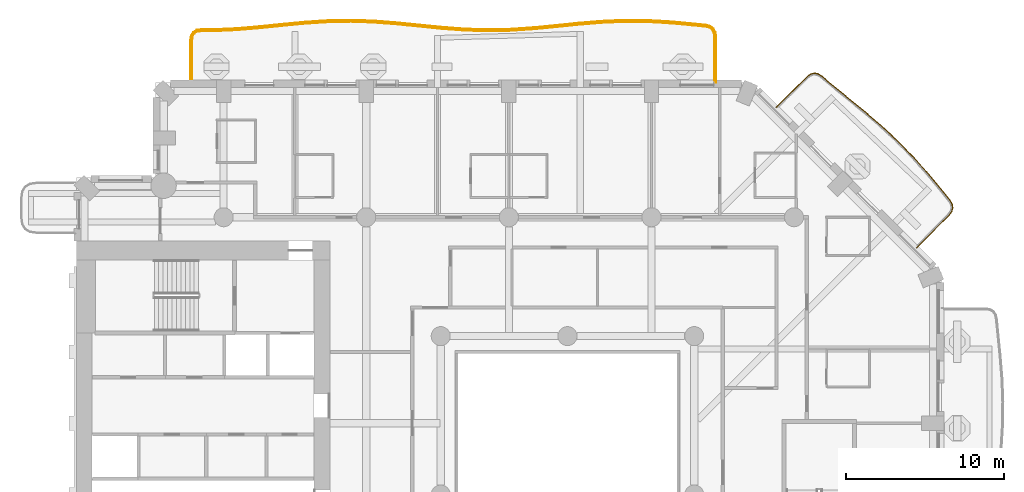
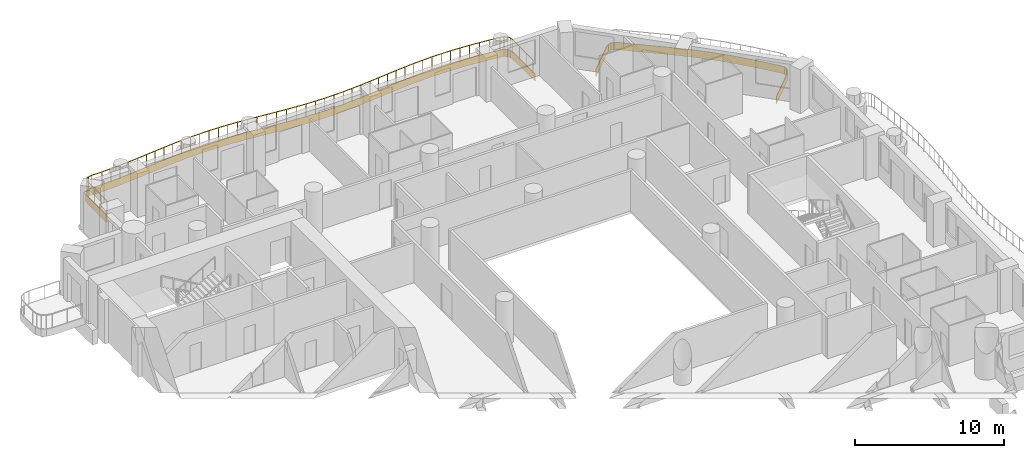
# One storey, part 18 of 20: 2 coverings, 1 railing.
"""IFC4 building model written with IfcOpenShell, lengths in metres."""

from ifc_helpers import new_model, si_unit, direction, frame, origin, origin_2d, place, context, subcontext, project, spatial, polyline, rectangle, outline, extrude, material, layer, layer_set, type_object, element, save


model = new_model("IFC4")

# Units and contexts
model_context = context("Model", 3, precision=1e-05, world=origin(), true_north=direction((0.0, 1.0)))
body_context = subcontext(model_context, "Body", "Model", "MODEL_VIEW")
ifc_project = project(units=[si_unit("LENGTHUNIT", "METRE"), si_unit("AREAUNIT", "SQUARE_METRE"), si_unit("VOLUMEUNIT", "CUBIC_METRE"), si_unit("PLANEANGLEUNIT", "RADIAN"), si_unit("MASSUNIT", "GRAM", prefix="KILO")], contexts=[model_context])

# Site, building, storey
site_placement = place(None, origin())
site = spatial("IfcSite", under=ifc_project, at=site_placement, CompositionType="ELEMENT")
building_placement = place(site_placement, origin())
building = spatial("IfcBuilding", under=site, at=building_placement, Name="Cypress Arch Tower", CompositionType="ELEMENT")
storey_placement = place(building_placement, frame((0.0, 0.0, 91.5)))
storey = spatial("IfcBuildingStorey", under=building, at=storey_placement, Name="L17", CompositionType="ELEMENT", Elevation=91.5)

# Coverings
ifc_material_1 = material(Name="White powder-coated aluminium fascia", Category="aluminium")
ifc_layer = layer(ifc_material_1, 0.050048828125)
ifc_layer_set = layer_set([ifc_layer], Name="Balcony fascia BF50")
covering_type = type_object("IfcCoveringType", Name="Balcony fascia BF50", PredefinedType="CLADDING", material=ifc_layer_set)
covering_1_placement = place(storey_placement, frame((0.0, 0.0, -0.60009765625)))
element("IfcCovering", 1, at=covering_1_placement, inside=storey, type_object=covering_type, Name="Balcony fascia L17-A07", PredefinedType="CLADDING", context=body_context, shape_type="SweptSolid", body=[
    extrude(outline(polyline([(16.0888671875, 26.377685546875), (16.322509765625, 26.5537109375), (16.5703125, 26.621337890625), (16.82275390625, 26.5732421875), (17.069580078125, 26.416259765625), (17.653076171875, 25.91796875), (18.7314453125, 25.03759765625), (19.81005859375, 24.155517578125), (20.86572265625, 23.24951171875), (21.881591796875, 22.302490234375), (22.848876953125, 21.306884765625), (23.7705078125, 20.266357421875), (24.66015625, 19.19482421875), (25.1455078125, 18.59716796875), (25.29736328125, 18.345458984375), (25.34130859375, 18.08984375), (25.271240234375, 17.840087890625), (25.09423828125, 17.60546875), (23.045166015625, 15.556396484375), (23.009765625, 15.591796875), (25.056396484375, 17.638427734375), (25.2255859375, 17.86279296875), (25.2900390625, 18.092529296875), (25.249755859375, 18.32763671875), (25.1044921875, 18.568359375), (24.62158203125, 19.1630859375), (23.732666015625, 20.233642578125), (22.81201171875, 21.272705078125), (21.846435546875, 22.266845703125), (20.83251953125, 23.212158203125), (19.77783203125, 24.1171875), (18.699951171875, 24.998779296875), (17.62109375, 25.87939453125), (17.039794921875, 26.3759765625), (16.803955078125, 26.52587890625), (16.572509765625, 26.570068359375), (16.344970703125, 26.5078125), (16.121826171875, 26.33984375), (14.191650390625, 24.40966796875), (14.15625, 24.445068359375), (16.0888671875, 26.377685546875)])), origin(), (0.0, 0.0, 1.0), 0.60009765625),
])
covering_2_placement = place(storey_placement, frame((0.0, 0.0, -0.60009765625)))
element("IfcCovering", 2, at=covering_2_placement, inside=storey, type_object=covering_type, Name="Balcony fascia L17-A08", PredefinedType="CLADDING", context=body_context, shape_type="SweptSolid", body=[
    extrude(outline(polyline([(-22.800048828125, 28.6689453125), (-22.757568359375, 28.9658203125), (-22.62451171875, 29.18701171875), (-22.402587890625, 29.319091796875), (-22.105712890625, 29.360107421875), (-21.31201171875, 29.3564453125), (-19.875, 29.422119140625), (-18.437255859375, 29.5439453125), (-16.99853515625, 29.692138671875), (-15.558349609375, 29.830078125), (-14.1171875, 29.92333984375), (-12.67578125, 29.94921875), (-11.234130859375, 29.90087890625), (-9.79345703125, 29.79052734375), (-8.353759765625, 29.6455078125), (-6.915283203125, 29.501708984375), (-5.477783203125, 29.39453125), (-4.041015625, 29.350341796875), (-2.604248046875, 29.380126953125), (-1.167236328125, 29.4765625), (0.271240234375, 29.615966796875), (1.710693359375, 29.763671875), (3.151123046875, 29.88330078125), (4.592529296875, 29.9453125), (6.0341796875, 29.934326171875), (7.475341796875, 29.852783203125), (8.915771484375, 29.72119140625), (9.7109375, 29.638916015625), (10.0068359375, 29.565673828125), (10.22607421875, 29.41064453125), (10.357666015625, 29.176513671875), (10.39990234375, 28.874755859375), (10.39990234375, 26.0009765625), (10.35009765625, 26.0009765625), (10.35009765625, 28.871337890625), (10.3095703125, 29.160400390625), (10.18798828125, 29.37646484375), (9.98583984375, 29.519287109375), (9.702392578125, 29.58935546875), (8.910888671875, 29.67138671875), (7.4716796875, 29.802978515625), (6.03271484375, 29.88427734375), (4.593505859375, 29.895263671875), (3.154296875, 29.83349609375), (1.71533203125, 29.7138671875), (0.276123046875, 29.566162109375), (-1.1630859375, 29.4267578125), (-2.602294921875, 29.330322265625), (-4.041259765625, 29.30029296875), (-5.48046875, 29.344482421875), (-6.919677734375, 29.45166015625), (-8.358642578125, 29.595703125), (-9.7978515625, 29.74072265625), (-11.237060546875, 29.850830078125), (-12.676025390625, 29.899169921875), (-14.115234375, 29.873291015625), (-15.554443359375, 29.7802734375), (-16.993408203125, 29.642333984375), (-18.4326171875, 29.494140625), (-19.871826171875, 29.3720703125), (-21.310791015625, 29.306396484375), (-22.102294921875, 29.31005859375), (-22.3857421875, 29.27099609375), (-22.588134765625, 29.150390625), (-22.70947265625, 28.94873046875), (-22.75, 28.66552734375), (-22.75, 26.0009765625), (-22.800048828125, 26.0009765625), (-22.800048828125, 28.6689453125)])), origin(), (0.0, 0.0, 1.0), 0.60009765625),
])

# Railing
ifc_material_2 = material(Name="Powder-coated steel posts and rods, 100 mm clear between rods", Category="steel")
railing_type = type_object("IfcRailingType", Name="Balcony guard GR1100", PredefinedType="GUARDRAIL", material=ifc_material_2)
railing_placement = place(storey_placement, frame((-22.699951171875, 26.14990234375, 0.0)))
element("IfcRailing", 3, at=railing_placement, inside=storey, type_object=railing_type, Name="Balcony guard L17-A08", PredefinedType="GUARDRAIL", context=body_context, shape_type="SweptSolid", body=[
    extrude(rectangle(XDim=0.050048828125, YDim=0.050048828125, at=origin_2d()), frame((0.0, 0.0, 1.0751953125), z_axis=(0.0, 1.0, 0.0), x_axis=(-1.0, 0.0, 0.0)), (0.0, 0.0, 1.0), 2.511962890625),
    extrude(rectangle(XDim=0.050048828125, YDim=0.050048828125, at=origin_2d()), frame((0.0, 2.511962890625, 1.0751953125), z_axis=(0.141546776296, 0.989931568403, 0.0), x_axis=(-0.989931568403, 0.141546776296, 0.0)), (0.0, 0.0, 1.0), 0.2724609375),
    extrude(rectangle(XDim=0.050048828125, YDim=0.050048828125, at=origin_2d()), frame((0.03857421875, 2.78173828125, 1.0751953125), z_axis=(0.515170521411, 0.857087704887, 0.0), x_axis=(-0.857087704887, 0.515170521411, 0.0)), (0.0, 0.0, 1.0), 0.212890625),
    extrude(rectangle(XDim=0.050048828125, YDim=0.050048828125, at=origin_2d()), frame((0.148193359375, 2.964111328125, 1.0751953125), z_axis=(0.859712995, 0.510777413585, 0.0), x_axis=(-0.510777413585, 0.859712995, 0.0)), (0.0, 0.0, 1.0), 0.212646484375),
    extrude(rectangle(XDim=0.050048828125, YDim=0.050048828125, at=origin_2d()), frame((0.3310546875, 3.07275390625, 1.0751953125), z_axis=(0.990549866766, 0.137153058475, 0.0), x_axis=(-0.137153058475, 0.990549866766, 0.0)), (0.0, 0.0, 1.0), 0.2724609375),
    extrude(rectangle(XDim=0.050048828125, YDim=0.050048828125, at=origin_2d()), frame((0.600830078125, 3.110107421875, 1.0751953125), z_axis=(0.999989236981, -0.004639603636, 0.0), x_axis=(0.004639603636, 0.999989236981, 0.0)), (0.0, 0.0, 1.0), 0.789306640625),
    extrude(rectangle(XDim=0.050048828125, YDim=0.050048828125, at=origin_2d()), frame((1.39013671875, 3.1064453125, 1.0751953125), z_axis=(0.998955942835, 0.0456839608, 0.0), x_axis=(-0.0456839608, 0.998955942835, 0.0)), (0.0, 0.0, 1.0), 1.44287109375),
    extrude(rectangle(XDim=0.050048828125, YDim=0.050048828125, at=origin_2d()), frame((2.83154296875, 3.17236328125, 1.0751953125), z_axis=(0.996428304897, 0.084443076686, 0.0), x_axis=(-0.084443076686, 0.996428304897, 0.0)), (0.0, 0.0, 1.0), 1.445556640625),
    extrude(rectangle(XDim=0.050048828125, YDim=0.050048828125, at=origin_2d()), frame((4.27197265625, 3.29443359375, 1.0751953125), z_axis=(0.994725087, 0.102576806801, 0.0), x_axis=(-0.102576806801, 0.994725087, 0.0)), (0.0, 0.0, 1.0), 1.447021484375),
    extrude(rectangle(XDim=0.050048828125, YDim=0.050048828125, at=origin_2d()), frame((5.71142578125, 3.44287109375, 1.0751953125), z_axis=(0.99546428092, 0.095136036353, 0.0), x_axis=(-0.095136036353, 0.99546428092, 0.0)), (0.0, 0.0, 1.0), 1.44482421875),
    extrude(rectangle(XDim=0.050048828125, YDim=0.050048828125, at=origin_2d()), frame((7.149658203125, 3.580322265625, 1.0751953125), z_axis=(0.997901350874, 0.064752559204, 0.0), x_axis=(-0.064752559204, 0.997901350874, 0.0)), (0.0, 0.0, 1.0), 1.440185546875),
    extrude(rectangle(XDim=0.050048828125, YDim=0.050048828125, at=origin_2d()), frame((8.5869140625, 3.673583984375, 1.0751953125), z_axis=(0.999840815944, 0.017842162759, 0.0), x_axis=(-0.017842162759, 0.999840815944, 0.0)), (0.0, 0.0, 1.0), 1.436767578125),
    extrude(rectangle(XDim=0.050048828125, YDim=0.050048828125, at=origin_2d()), frame((10.0234375, 3.69921875, 1.0751953125), z_axis=(0.999440184761, -0.033456196499, 0.0), x_axis=(0.033456196499, 0.999440184761, 0.0)), (0.0, 0.0, 1.0), 1.4375),
    extrude(rectangle(XDim=0.050048828125, YDim=0.050048828125, at=origin_2d()), frame((11.460205078125, 3.651123046875, 1.0751953125), z_axis=(0.997079336019, -0.076372754848, 0.0), x_axis=(0.076372754848, 0.997079336019, 0.0)), (0.0, 0.0, 1.0), 1.441650390625),
    extrude(rectangle(XDim=0.050048828125, YDim=0.050048828125, at=origin_2d()), frame((12.897705078125, 3.541015625, 1.0751953125), z_axis=(0.994956613578, -0.100306216644, 0.0), x_axis=(0.100306216644, 0.994956613578, 0.0)), (0.0, 0.0, 1.0), 1.44580078125),
    extrude(rectangle(XDim=0.050048828125, YDim=0.050048828125, at=origin_2d()), frame((14.336181640625, 3.39599609375, 1.0751953125), z_axis=(0.995033848917, -0.09953712629, 0.0), x_axis=(0.09953712629, 0.995033848917, 0.0)), (0.0, 0.0, 1.0), 1.447021484375),
    extrude(rectangle(XDim=0.050048828125, YDim=0.050048828125, at=origin_2d()), frame((15.776123046875, 3.251953125, 1.0751953125), z_axis=(0.997244187456, -0.074189154091, 0.0), x_axis=(0.074189154091, 0.997244187456, 0.0)), (0.0, 0.0, 1.0), 1.444580078125),
    extrude(rectangle(XDim=0.050048828125, YDim=0.050048828125, at=origin_2d()), frame((17.216796875, 3.144775390625, 1.0751953125), z_axis=(0.999525360704, -0.030806708831, 0.0), x_axis=(0.030806708831, 0.999525360704, 0.0)), (0.0, 0.0, 1.0), 1.4423828125),
    extrude(rectangle(XDim=0.050048828125, YDim=0.050048828125, at=origin_2d()), frame((18.658447265625, 3.100341796875, 1.0751953125), z_axis=(0.999783056728, 0.020828813682, 0.0), x_axis=(-0.020828813682, 0.999783056728, 0.0)), (0.0, 0.0, 1.0), 1.441650390625),
    extrude(rectangle(XDim=0.050048828125, YDim=0.050048828125, at=origin_2d()), frame((20.099853515625, 3.13037109375, 1.0751953125), z_axis=(0.997757399205, 0.06693408946, 0.0), x_axis=(-0.06693408946, 0.997757399205, 0.0)), (0.0, 0.0, 1.0), 1.4443359375),
    extrude(rectangle(XDim=0.050048828125, YDim=0.050048828125, at=origin_2d()), frame((21.541015625, 3.22705078125, 1.0751953125), z_axis=(0.995346359273, 0.096361948312, 0.0), x_axis=(-0.096361948312, 0.995346359273, 0.0)), (0.0, 0.0, 1.0), 1.44677734375),
    extrude(rectangle(XDim=0.050048828125, YDim=0.050048828125, at=origin_2d()), frame((22.98095703125, 3.366455078125, 1.0751953125), z_axis=(0.99477132956, 0.102127380686, 0.0), x_axis=(-0.102127380686, 0.99477132956, 0.0)), (0.0, 0.0, 1.0), 1.4462890625),
    extrude(rectangle(XDim=0.050048828125, YDim=0.050048828125, at=origin_2d()), frame((24.419677734375, 3.51416015625, 1.0751953125), z_axis=(0.996570223398, 0.082751373619, 0.0), x_axis=(-0.082751373619, 0.996570223398, 0.0)), (0.0, 0.0, 1.0), 1.442626953125),
    extrude(rectangle(XDim=0.050048828125, YDim=0.050048828125, at=origin_2d()), frame((25.857421875, 3.633544921875, 1.0751953125), z_axis=(0.999077180792, 0.042950981604, 0.0), x_axis=(-0.042950981604, 0.999077180792, 0.0)), (0.0, 0.0, 1.0), 1.43798828125),
    extrude(rectangle(XDim=0.050048828125, YDim=0.050048828125, at=origin_2d()), frame((27.294189453125, 3.6953125, 1.0751953125), z_axis=(0.999970766349, -0.007646335512, 0.0), x_axis=(0.007646335512, 0.999970766349, 0.0)), (0.0, 0.0, 1.0), 1.436767578125),
    extrude(rectangle(XDim=0.050048828125, YDim=0.050048828125, at=origin_2d()), frame((28.73095703125, 3.684326171875, 1.0751953125), z_axis=(0.998413022116, -0.056315515349, 0.0), x_axis=(0.056315515349, 0.998413022116, 0.0)), (0.0, 0.0, 1.0), 1.439208984375),
    extrude(rectangle(XDim=0.050048828125, YDim=0.050048828125, at=origin_2d()), frame((30.16796875, 3.603271484375, 1.0751953125), z_axis=(0.995854310795, -0.090962583906, 0.0), x_axis=(0.090962583906, 0.995854310795, 0.0)), (0.0, 0.0, 1.0), 1.444091796875),
    extrude(rectangle(XDim=0.050048828125, YDim=0.050048828125, at=origin_2d()), frame((31.60595703125, 3.471923828125, 1.0751953125), z_axis=(0.994654742095, -0.103256689991, 0.0), x_axis=(0.103256689991, 0.994654742095, 0.0)), (0.0, 0.0, 1.0), 0.7919921875),
    extrude(rectangle(XDim=0.050048828125, YDim=0.050048828125, at=origin_2d()), frame((32.393798828125, 3.39013671875, 1.0751953125), z_axis=(0.970808221233, -0.239857035724, 0.0), x_axis=(0.239857035724, 0.970808221233, 0.0)), (0.0, 0.0, 1.0), 0.27880859375),
    extrude(rectangle(XDim=0.050048828125, YDim=0.050048828125, at=origin_2d()), frame((32.66455078125, 3.3232421875, 1.0751953125), z_axis=(0.816699744234, -0.577062845597, 0.0), x_axis=(0.577062845597, 0.816699744234, 0.0)), (0.0, 0.0, 1.0), 0.227294921875),
    extrude(rectangle(XDim=0.050048828125, YDim=0.050048828125, at=origin_2d()), frame((32.85009765625, 3.192138671875, 1.0751953125), z_axis=(0.489290874176, -0.872120657047, 0.0), x_axis=(0.872120657047, 0.489290874176, 0.0)), (0.0, 0.0, 1.0), 0.22705078125),
    extrude(rectangle(XDim=0.050048828125, YDim=0.050048828125, at=origin_2d()), frame((32.961181640625, 2.994140625, 1.0751953125), z_axis=(0.139093984413, -0.990279184624, 0.0), x_axis=(0.990279184624, 0.139093984413, 0.0)), (0.0, 0.0, 1.0), 0.279052734375),
    extrude(rectangle(XDim=0.050048828125, YDim=0.050048828125, at=origin_2d()), frame((33.0, 2.7177734375, 1.0751953125), z_axis=(0.0, -1.0, 0.0), x_axis=(1.0, 0.0, 0.0)), (0.0, 0.0, 1.0), 2.7177734375),
    extrude(rectangle(XDim=0.0400390625, YDim=0.0400390625, at=origin_2d()), origin(), (0.0, 0.0, 1.0), 1.050048828125),
    extrude(rectangle(XDim=0.0400390625, YDim=0.0400390625, at=origin_2d()), frame((0.0, 0.83740234375, 0.0)), (0.0, 0.0, 1.0), 1.050048828125),
    extrude(rectangle(XDim=0.0400390625, YDim=0.0400390625, at=origin_2d()), frame((0.0, 1.674560546875, 0.0)), (0.0, 0.0, 1.0), 1.050048828125),
    extrude(rectangle(XDim=0.0400390625, YDim=0.0400390625, at=origin_2d()), frame((0.0, 2.511962890625, 0.0)), (0.0, 0.0, 1.0), 1.050048828125),
    extrude(rectangle(XDim=0.0400390625, YDim=0.0400390625, at=origin_2d()), frame((0.03857421875, 2.78173828125, 0.0)), (0.0, 0.0, 1.0), 1.050048828125),
    extrude(rectangle(XDim=0.0400390625, YDim=0.0400390625, at=origin_2d()), frame((0.148193359375, 2.964111328125, 0.0)), (0.0, 0.0, 1.0), 1.050048828125),
    extrude(rectangle(XDim=0.0400390625, YDim=0.0400390625, at=origin_2d()), frame((0.3310546875, 3.07275390625, 0.0)), (0.0, 0.0, 1.0), 1.050048828125),
    extrude(rectangle(XDim=0.0400390625, YDim=0.0400390625, at=origin_2d()), frame((0.600830078125, 3.110107421875, 0.0)), (0.0, 0.0, 1.0), 1.050048828125),
    extrude(rectangle(XDim=0.0400390625, YDim=0.0400390625, at=origin_2d()), frame((1.39013671875, 3.1064453125, 0.0)), (0.0, 0.0, 1.0), 1.050048828125),
    extrude(rectangle(XDim=0.0400390625, YDim=0.0400390625, at=origin_2d()), frame((2.11083984375, 3.139404296875, 0.0)), (0.0, 0.0, 1.0), 1.050048828125),
    extrude(rectangle(XDim=0.0400390625, YDim=0.0400390625, at=origin_2d()), frame((2.83154296875, 3.17236328125, 0.0)), (0.0, 0.0, 1.0), 1.050048828125),
    extrude(rectangle(XDim=0.0400390625, YDim=0.0400390625, at=origin_2d()), frame((3.5517578125, 3.2333984375, 0.0)), (0.0, 0.0, 1.0), 1.050048828125),
    extrude(rectangle(XDim=0.0400390625, YDim=0.0400390625, at=origin_2d()), frame((4.27197265625, 3.29443359375, 0.0)), (0.0, 0.0, 1.0), 1.050048828125),
    extrude(rectangle(XDim=0.0400390625, YDim=0.0400390625, at=origin_2d()), frame((4.99169921875, 3.36865234375, 0.0)), (0.0, 0.0, 1.0), 1.050048828125),
    extrude(rectangle(XDim=0.0400390625, YDim=0.0400390625, at=origin_2d()), frame((5.71142578125, 3.44287109375, 0.0)), (0.0, 0.0, 1.0), 1.050048828125),
    extrude(rectangle(XDim=0.0400390625, YDim=0.0400390625, at=origin_2d()), frame((6.4306640625, 3.51171875, 0.0)), (0.0, 0.0, 1.0), 1.050048828125),
    extrude(rectangle(XDim=0.0400390625, YDim=0.0400390625, at=origin_2d()), frame((7.149658203125, 3.580322265625, 0.0)), (0.0, 0.0, 1.0), 1.050048828125),
    extrude(rectangle(XDim=0.0400390625, YDim=0.0400390625, at=origin_2d()), frame((7.8681640625, 3.626953125, 0.0)), (0.0, 0.0, 1.0), 1.050048828125),
    extrude(rectangle(XDim=0.0400390625, YDim=0.0400390625, at=origin_2d()), frame((8.5869140625, 3.673583984375, 0.0)), (0.0, 0.0, 1.0), 1.050048828125),
    extrude(rectangle(XDim=0.0400390625, YDim=0.0400390625, at=origin_2d()), frame((9.30517578125, 3.6865234375, 0.0)), (0.0, 0.0, 1.0), 1.050048828125),
    extrude(rectangle(XDim=0.0400390625, YDim=0.0400390625, at=origin_2d()), frame((10.0234375, 3.69921875, 0.0)), (0.0, 0.0, 1.0), 1.050048828125),
    extrude(rectangle(XDim=0.0400390625, YDim=0.0400390625, at=origin_2d()), frame((10.74169921875, 3.67529296875, 0.0)), (0.0, 0.0, 1.0), 1.050048828125),
    extrude(rectangle(XDim=0.0400390625, YDim=0.0400390625, at=origin_2d()), frame((11.460205078125, 3.651123046875, 0.0)), (0.0, 0.0, 1.0), 1.050048828125),
    extrude(rectangle(XDim=0.0400390625, YDim=0.0400390625, at=origin_2d()), frame((12.178955078125, 3.59619140625, 0.0)), (0.0, 0.0, 1.0), 1.050048828125),
    extrude(rectangle(XDim=0.0400390625, YDim=0.0400390625, at=origin_2d()), frame((12.897705078125, 3.541015625, 0.0)), (0.0, 0.0, 1.0), 1.050048828125),
    extrude(rectangle(XDim=0.0400390625, YDim=0.0400390625, at=origin_2d()), frame((13.616943359375, 3.468505859375, 0.0)), (0.0, 0.0, 1.0), 1.050048828125),
    extrude(rectangle(XDim=0.0400390625, YDim=0.0400390625, at=origin_2d()), frame((14.336181640625, 3.39599609375, 0.0)), (0.0, 0.0, 1.0), 1.050048828125),
    extrude(rectangle(XDim=0.0400390625, YDim=0.0400390625, at=origin_2d()), frame((15.05615234375, 3.323974609375, 0.0)), (0.0, 0.0, 1.0), 1.050048828125),
    extrude(rectangle(XDim=0.0400390625, YDim=0.0400390625, at=origin_2d()), frame((15.776123046875, 3.251953125, 0.0)), (0.0, 0.0, 1.0), 1.050048828125),
    extrude(rectangle(XDim=0.0400390625, YDim=0.0400390625, at=origin_2d()), frame((16.49658203125, 3.1982421875, 0.0)), (0.0, 0.0, 1.0), 1.050048828125),
    extrude(rectangle(XDim=0.0400390625, YDim=0.0400390625, at=origin_2d()), frame((17.216796875, 3.144775390625, 0.0)), (0.0, 0.0, 1.0), 1.050048828125),
    extrude(rectangle(XDim=0.0400390625, YDim=0.0400390625, at=origin_2d()), frame((17.9375, 3.12255859375, 0.0)), (0.0, 0.0, 1.0), 1.050048828125),
    extrude(rectangle(XDim=0.0400390625, YDim=0.0400390625, at=origin_2d()), frame((18.658447265625, 3.100341796875, 0.0)), (0.0, 0.0, 1.0), 1.050048828125),
    extrude(rectangle(XDim=0.0400390625, YDim=0.0400390625, at=origin_2d()), frame((19.379150390625, 3.115234375, 0.0)), (0.0, 0.0, 1.0), 1.050048828125),
    extrude(rectangle(XDim=0.0400390625, YDim=0.0400390625, at=origin_2d()), frame((20.099853515625, 3.13037109375, 0.0)), (0.0, 0.0, 1.0), 1.050048828125),
    extrude(rectangle(XDim=0.0400390625, YDim=0.0400390625, at=origin_2d()), frame((20.8203125, 3.1787109375, 0.0)), (0.0, 0.0, 1.0), 1.050048828125),
    extrude(rectangle(XDim=0.0400390625, YDim=0.0400390625, at=origin_2d()), frame((21.541015625, 3.22705078125, 0.0)), (0.0, 0.0, 1.0), 1.050048828125),
    extrude(rectangle(XDim=0.0400390625, YDim=0.0400390625, at=origin_2d()), frame((22.260986328125, 3.296875, 0.0)), (0.0, 0.0, 1.0), 1.050048828125),
    extrude(rectangle(XDim=0.0400390625, YDim=0.0400390625, at=origin_2d()), frame((22.98095703125, 3.366455078125, 0.0)), (0.0, 0.0, 1.0), 1.050048828125),
    extrude(rectangle(XDim=0.0400390625, YDim=0.0400390625, at=origin_2d()), frame((23.7001953125, 3.4404296875, 0.0)), (0.0, 0.0, 1.0), 1.050048828125),
    extrude(rectangle(XDim=0.0400390625, YDim=0.0400390625, at=origin_2d()), frame((24.419677734375, 3.51416015625, 0.0)), (0.0, 0.0, 1.0), 1.050048828125),
    extrude(rectangle(XDim=0.0400390625, YDim=0.0400390625, at=origin_2d()), frame((25.138671875, 3.57373046875, 0.0)), (0.0, 0.0, 1.0), 1.050048828125),
    extrude(rectangle(XDim=0.0400390625, YDim=0.0400390625, at=origin_2d()), frame((25.857421875, 3.633544921875, 0.0)), (0.0, 0.0, 1.0), 1.050048828125),
    extrude(rectangle(XDim=0.0400390625, YDim=0.0400390625, at=origin_2d()), frame((26.57568359375, 3.66455078125, 0.0)), (0.0, 0.0, 1.0), 1.050048828125),
    extrude(rectangle(XDim=0.0400390625, YDim=0.0400390625, at=origin_2d()), frame((27.294189453125, 3.6953125, 0.0)), (0.0, 0.0, 1.0), 1.050048828125),
    extrude(rectangle(XDim=0.0400390625, YDim=0.0400390625, at=origin_2d()), frame((28.0126953125, 3.68994140625, 0.0)), (0.0, 0.0, 1.0), 1.050048828125),
    extrude(rectangle(XDim=0.0400390625, YDim=0.0400390625, at=origin_2d()), frame((28.73095703125, 3.684326171875, 0.0)), (0.0, 0.0, 1.0), 1.050048828125),
    extrude(rectangle(XDim=0.0400390625, YDim=0.0400390625, at=origin_2d()), frame((29.449462890625, 3.643798828125, 0.0)), (0.0, 0.0, 1.0), 1.050048828125),
    extrude(rectangle(XDim=0.0400390625, YDim=0.0400390625, at=origin_2d()), frame((30.16796875, 3.603271484375, 0.0)), (0.0, 0.0, 1.0), 1.050048828125),
    extrude(rectangle(XDim=0.0400390625, YDim=0.0400390625, at=origin_2d()), frame((30.886962890625, 3.53759765625, 0.0)), (0.0, 0.0, 1.0), 1.050048828125),
    extrude(rectangle(XDim=0.0400390625, YDim=0.0400390625, at=origin_2d()), frame((31.60595703125, 3.471923828125, 0.0)), (0.0, 0.0, 1.0), 1.050048828125),
    extrude(rectangle(XDim=0.0400390625, YDim=0.0400390625, at=origin_2d()), frame((32.393798828125, 3.39013671875, 0.0)), (0.0, 0.0, 1.0), 1.050048828125),
    extrude(rectangle(XDim=0.0400390625, YDim=0.0400390625, at=origin_2d()), frame((32.66455078125, 3.3232421875, 0.0)), (0.0, 0.0, 1.0), 1.050048828125),
    extrude(rectangle(XDim=0.0400390625, YDim=0.0400390625, at=origin_2d()), frame((32.85009765625, 3.192138671875, 0.0)), (0.0, 0.0, 1.0), 1.050048828125),
    extrude(rectangle(XDim=0.0400390625, YDim=0.0400390625, at=origin_2d()), frame((32.961181640625, 2.994140625, 0.0)), (0.0, 0.0, 1.0), 1.050048828125),
    extrude(rectangle(XDim=0.0400390625, YDim=0.0400390625, at=origin_2d()), frame((33.0, 2.7177734375, 0.0)), (0.0, 0.0, 1.0), 1.050048828125),
    extrude(rectangle(XDim=0.0400390625, YDim=0.0400390625, at=origin_2d()), frame((33.0, 1.811767578125, 0.0)), (0.0, 0.0, 1.0), 1.050048828125),
    extrude(rectangle(XDim=0.0400390625, YDim=0.0400390625, at=origin_2d()), frame((33.0, 0.906005859375, 0.0)), (0.0, 0.0, 1.0), 1.050048828125),
    extrude(rectangle(XDim=0.0400390625, YDim=0.0400390625, at=origin_2d()), frame((33.0, 0.0, 0.0)), (0.0, 0.0, 1.0), 1.050048828125),
])

save(model, "model.ifc")
